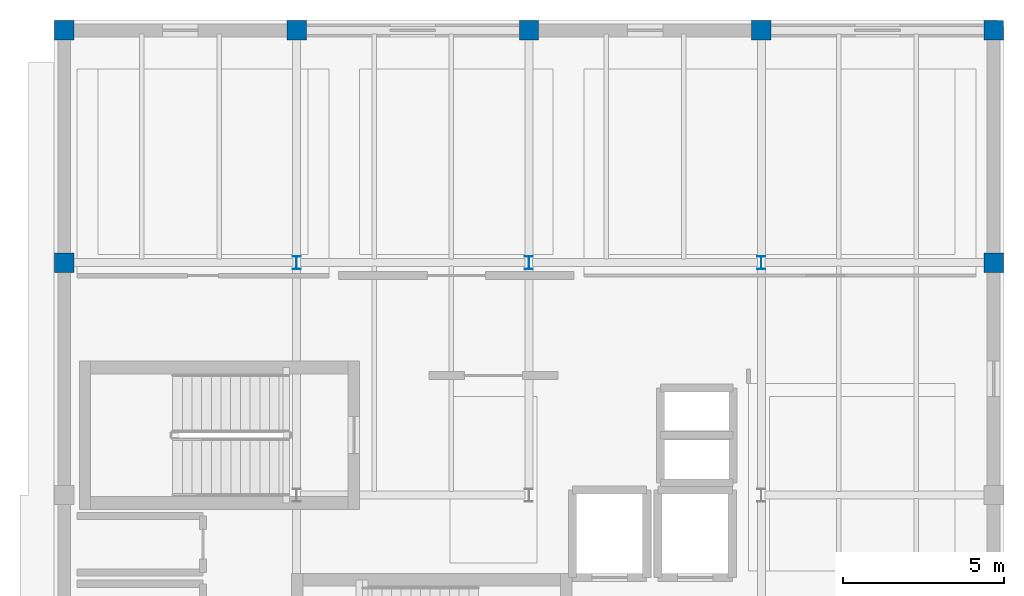
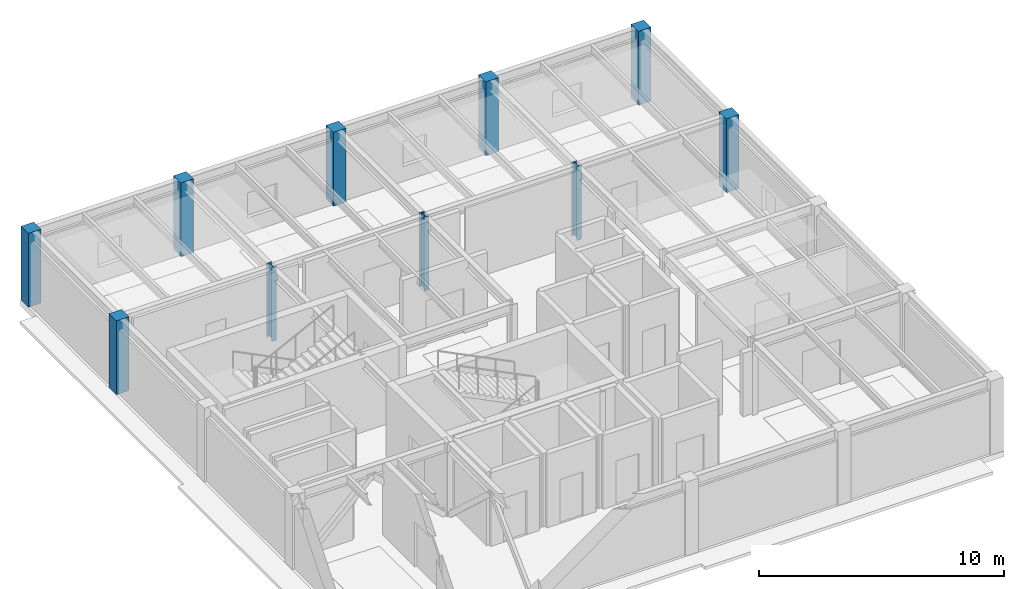
# One storey, part 2 of 8: 10 columns.
"""IFC4 building model written with IfcOpenShell, lengths in metres."""

from ifc_helpers import new_model, si_unit, direction, frame, origin, origin_2d, place, context, subcontext, project, spatial, rectangle, i_section, extrude, material, material_profile, profile_set, type_object, element, save


model = new_model("IFC4")

# Units and contexts
model_context = context("Model", 3, precision=1e-05, world=origin(), true_north=direction((0.0, 1.0)))
body_context = subcontext(model_context, "Body", "Model", "MODEL_VIEW")
ifc_project = project(units=[si_unit("LENGTHUNIT", "METRE"), si_unit("AREAUNIT", "SQUARE_METRE"), si_unit("VOLUMEUNIT", "CUBIC_METRE"), si_unit("PLANEANGLEUNIT", "RADIAN"), si_unit("MASSUNIT", "GRAM", prefix="KILO")], contexts=[model_context])

# Site, building, storey
site_placement = place(None, origin())
site = spatial("IfcSite", under=ifc_project, at=site_placement, CompositionType="ELEMENT")
building_placement = place(site_placement, origin())
building = spatial("IfcBuilding", under=site, at=building_placement, Name="Kandorven Conservatory and Botanical Research Centre", CompositionType="ELEMENT")
storey_placement = place(building_placement, frame((0.0, 0.0, 40.5)))
storey = spatial("IfcBuildingStorey", under=building, at=storey_placement, Name="L10", CompositionType="ELEMENT", Elevation=40.5)

# Columns
ifc_material_1 = material(Name="Steel S355 (IS 2062 E350)", Category="steel")
ifc_material_profile_1 = material_profile(ifc_material_1, i_section(OverallWidth=0.25, OverallDepth=0.39990234375, WebThickness=0.010498046875, FlangeThickness=0.0126953125, at=origin_2d()))
ifc_profile_set_1 = profile_set([ifc_material_profile_1], Name="Steel S355 (IS 2062 E350)")
column_type_1 = type_object("IfcColumnType", Name="Col_SC-02", PredefinedType="COLUMN", material=ifc_profile_set_1)
for number, where, z_axis, x_axis, name in (
    (1, (13.199951171875, 27.60009765625, 0.0), (0.0, 0.0, 1.0), (1.0, 0.0, 0.0), "Column SC-02 TWR L10 (2,4)"),
    (2, (20.39990234375, 27.60009765625, 0.0), (0.0, 0.0, 1.0), (1.0, 0.0, 0.0), "Column SC-02 TWR L10 (3,4)"),
    (3, (27.60009765625, 27.60009765625, 0.0), (0.0, 0.0, 1.0), (1.0, 0.0, 0.0), "Column SC-02 TWR L10 (4,4)"),
):
    element("IfcColumn", number, at=place(storey_placement, frame(where, z_axis=z_axis, x_axis=x_axis)), inside=storey, type_object=column_type_1, Name=name, PredefinedType="COLUMN", context=body_context, shape_type="SweptSolid", body=[
        extrude(i_section(OverallWidth=0.25, OverallDepth=0.39990234375, WebThickness=0.010498046875, FlangeThickness=0.0126953125, at=origin_2d()), origin(), (0.0, 0.0, 1.0), 3.679931640625),
    ])
ifc_material_2 = material(Name="Concrete C40/50 (M50)", Category="concrete")
ifc_material_profile_2 = material_profile(ifc_material_2, rectangle(XDim=0.60009765625, YDim=0.60009765625, at=origin_2d()))
ifc_profile_set_2 = profile_set([ifc_material_profile_2], Name="Concrete C40/50 (M50)")
column_type_2 = type_object("IfcColumnType", Name="Col_TC-04", PredefinedType="COLUMN", material=ifc_profile_set_2)
for number, where, z_axis, x_axis, name in (
    (4, (6.0, 27.60009765625, 0.0), (0.0, 0.0, 1.0), (1.0, 0.0, 0.0), "Column TC-04 TWR L10 (1,4)"),
    (5, (6.0, 34.800048828125, 0.0), (0.0, 0.0, 1.0), (1.0, 0.0, 0.0), "Column TC-04 TWR L10 (1,5)"),
    (6, (13.199951171875, 34.800048828125, 0.0), (0.0, 0.0, 1.0), (1.0, 0.0, 0.0), "Column TC-04 TWR L10 (2,5)"),
    (7, (20.39990234375, 34.800048828125, 0.0), (0.0, 0.0, 1.0), (1.0, 0.0, 0.0), "Column TC-04 TWR L10 (3,5)"),
    (8, (27.60009765625, 34.800048828125, 0.0), (0.0, 0.0, 1.0), (1.0, 0.0, 0.0), "Column TC-04 TWR L10 (4,5)"),
    (9, (34.800048828125, 27.60009765625, 0.0), (0.0, 0.0, 1.0), (1.0, 0.0, 0.0), "Column TC-04 TWR L10 (5,4)"),
    (10, (34.800048828125, 34.800048828125, 0.0), (0.0, 0.0, 1.0), (1.0, 0.0, 0.0), "Column TC-04 TWR L10 (5,5)"),
):
    element("IfcColumn", number, at=place(storey_placement, frame(where, z_axis=z_axis, x_axis=x_axis)), inside=storey, type_object=column_type_2, Name=name, PredefinedType="COLUMN", context=body_context, shape_type="SweptSolid", body=[
        extrude(rectangle(XDim=0.60009765625, YDim=0.60009765625, at=origin_2d()), origin(), (0.0, 0.0, 1.0), 3.679931640625),
    ])

save(model, "model.ifc")
